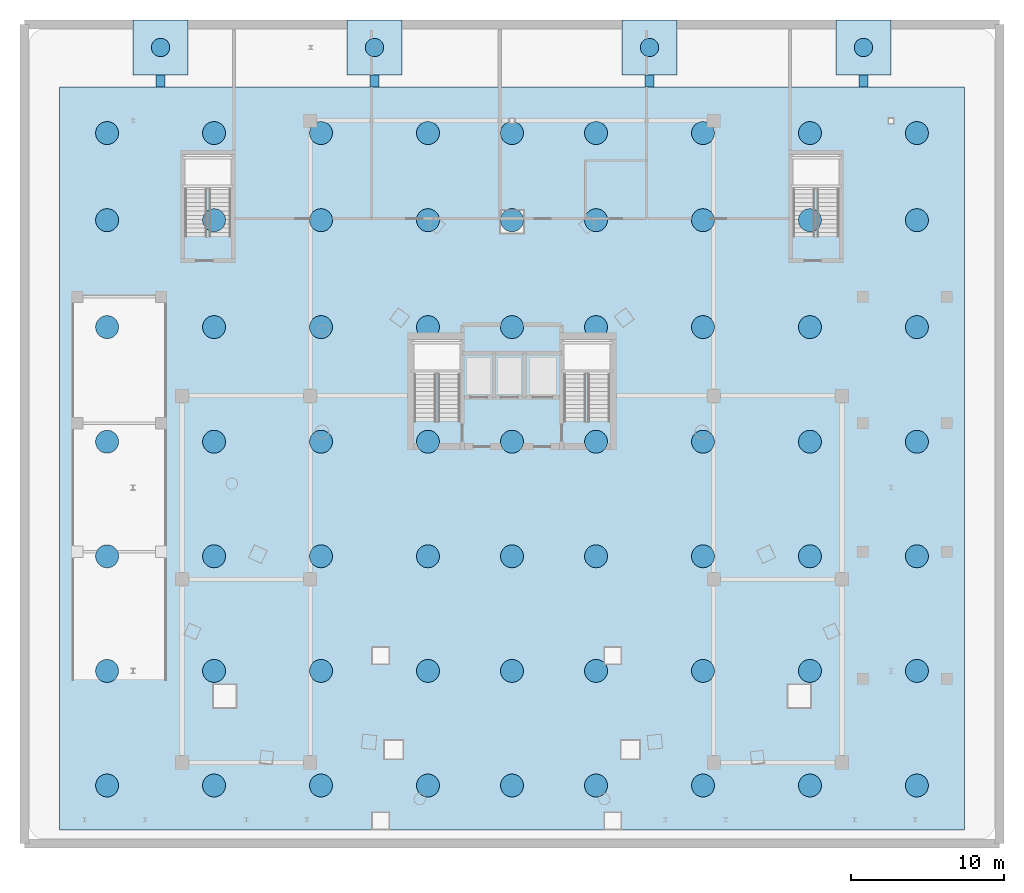
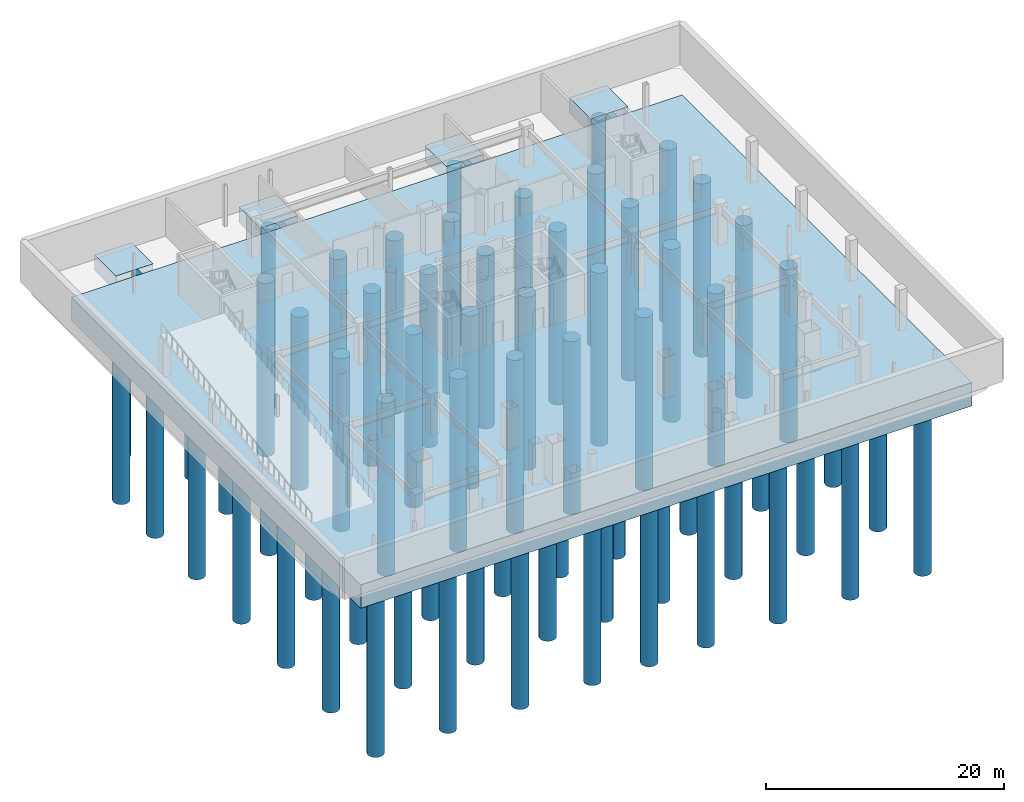
# One storey, part 1 of 12: 67 piles, 9 footings.
"""IFC4 building model written with IfcOpenShell, lengths in metres."""

import ifcopenshell
import ifcopenshell.guid

model = None  # the IFC model being written
_history = None  # IfcOwnerHistory: only IFC2X3 demands one
_inside = {}  # id of a spatial element -> (the spatial element, [elements in it])
_under = {}  # id of a project, library or spatial element -> (it, [spatial elements below it])
_declared = {}  # id of a project -> (the project, [libraries it declares])
_typed = {}  # id of a type object -> (the type object, [elements of that type])
_made_of = {}  # id of a material, layer set ... -> (it, [elements and type objects made of it])


def new_model(schema):
    """Start an empty IFC model of exactly this schema.

    Asked for "IFC4X3", IfcOpenShell would pick the latest addendum, in which some entities
    have other attributes; the version numbers below select the first issue.
    IFC2X3 requires an IfcOwnerHistory on every rooted entity: one is made here for all.
    """
    global model, _history
    if schema == "IFC4X3":
        model = ifcopenshell.file(schema_version=(4, 3, 0, 0))
    else:
        model = ifcopenshell.file(schema=schema)
    _inside.clear()
    _under.clear()
    _declared.clear()
    _typed.clear()
    _made_of.clear()
    _history = None
    if model.schema == "IFC2X3":
        org = make("IfcOrganization", Name="unknown")
        user = make(
            "IfcPersonAndOrganization",
            ThePerson=make("IfcPerson", FamilyName="unknown"),
            TheOrganization=org,
        )
        app = make(
            "IfcApplication",
            ApplicationDeveloper=org,
            Version="unknown",
            ApplicationFullName="unknown",
            ApplicationIdentifier="unknown",
        )
        _history = make(
            "IfcOwnerHistory",
            OwningUser=user,
            OwningApplication=app,
            ChangeAction="ADDED",
            CreationDate=0,
        )
    return model


def make(cls, **values):
    """One entity of the class cls with the attributes given. An attribute that is None is left unset."""
    return model.create_entity(
        cls, **{name: value for name, value in values.items() if value is not None}
    )


def rooted(cls, **values):
    """An entity with a GlobalId (a new one), such as an element, a storey or a relation."""
    return make(cls, GlobalId=ifcopenshell.guid.new(), OwnerHistory=_history, **values)


def si_unit(unit_type, name, prefix=None):
    """IfcSIUnit, for example si_unit("LENGTHUNIT", "METRE", prefix="MILLI")."""
    return make("IfcSIUnit", UnitType=unit_type, Prefix=prefix, Name=name)


def assignment(units):
    """IfcUnitAssignment: the units of a project."""
    return None if units is None else make("IfcUnitAssignment", Units=units)


def point(xyz):
    """IfcCartesianPoint."""
    return None if xyz is None else make("IfcCartesianPoint", Coordinates=xyz)


def direction(xyz):
    """IfcDirection."""
    return None if xyz is None else make("IfcDirection", DirectionRatios=xyz)


def frame(location, z_axis=None, x_axis=None):
    """IfcAxis2Placement3D, a coordinate frame: its origin and axes. An axis left out is left unset."""
    return make(
        "IfcAxis2Placement3D",
        Location=point(location),
        Axis=direction(z_axis),
        RefDirection=direction(x_axis),
    )


def frame_2d(location, x_axis=None):
    """IfcAxis2Placement2D, a coordinate frame in the plane: its origin and x axis."""
    return make(
        "IfcAxis2Placement2D", Location=point(location), RefDirection=direction(x_axis)
    )


def origin():
    """The frame at (0, 0, 0) with its axes left unset."""
    return frame((0.0, 0.0, 0.0))


def origin_2d():
    """The frame at (0, 0) in the plane with its x axis left unset."""
    return frame_2d((0.0, 0.0))


def place(relative_to, where):
    """IfcLocalPlacement: puts the frame where relative to a parent placement (None: the world)."""
    return make(
        "IfcLocalPlacement", PlacementRelTo=relative_to, RelativePlacement=where
    )


def context(
    kind, dimensions, precision=None, world=None, true_north=None, identifier=None
):
    """IfcGeometricRepresentationContext, for example the 3D "Model" context."""
    return make(
        "IfcGeometricRepresentationContext",
        ContextIdentifier=identifier,
        ContextType=kind,
        CoordinateSpaceDimension=dimensions,
        Precision=precision,
        WorldCoordinateSystem=world,
        TrueNorth=true_north,
    )


def subcontext(parent, identifier, kind, view, scale=None):
    """IfcGeometricRepresentationSubContext, for example "Body" below "Model"."""
    return make(
        "IfcGeometricRepresentationSubContext",
        ContextIdentifier=identifier,
        ContextType=kind,
        ParentContext=parent,
        TargetScale=scale,
        TargetView=view,
    )


def project(units=None, contexts=None):
    """IfcProject with its units and contexts."""
    return rooted(
        "IfcProject",
        Name="project",
        RepresentationContexts=contexts,
        UnitsInContext=assignment(units),
    )


def spatial(cls, under=None, at=None, **own):
    """A site, building, storey or space (cls), placed at a placement, below another one or the project."""
    s = rooted(cls, ObjectPlacement=at, **own)
    if under is not None:
        _under.setdefault(under.id(), (under, []))[1].append(s)
    return s


def polyline(points):
    """IfcPolyline through the points."""
    return make("IfcPolyline", Points=[point(p) for p in points])


def profile(cls, at=None, kind="AREA", **sizes):
    """A parametric profile (cls). Its sizes go by their IFC names, for example OverallWidth=200.0."""
    return make(cls, ProfileType=kind, Position=at, **sizes)


def rectangle(**sizes):
    """IfcRectangleProfileDef."""
    return profile("IfcRectangleProfileDef", **sizes)


def circle(**sizes):
    """IfcCircleProfileDef."""
    return profile("IfcCircleProfileDef", **sizes)


def outline(outer, holes=None, kind="AREA"):
    """IfcArbitraryClosedProfileDef: a profile drawn as a closed curve; with holes, ...WithVoids."""
    if holes is None:
        return make("IfcArbitraryClosedProfileDef", ProfileType=kind, OuterCurve=outer)
    return make(
        "IfcArbitraryProfileDefWithVoids",
        ProfileType=kind,
        OuterCurve=outer,
        InnerCurves=holes,
    )


def extrude(swept, where, along, depth):
    """IfcExtrudedAreaSolid: the profile swept, set in the frame where, extruded along a direction by depth."""
    return make(
        "IfcExtrudedAreaSolid",
        SweptArea=swept,
        Position=where,
        ExtrudedDirection=direction(along),
        Depth=depth,
    )


def shape(context_of_items, identifier, shape_type, items):
    """IfcShapeRepresentation: the items that make up one representation, for example the "Body"."""
    return make(
        "IfcShapeRepresentation",
        ContextOfItems=context_of_items,
        RepresentationIdentifier=identifier,
        RepresentationType=shape_type,
        Items=items,
    )


def material(Name=None, Category=None):
    """IfcMaterial."""
    return make("IfcMaterial", Name=Name, Category=Category)


def layer(
    of_material, thickness, ventilated=None, Name=None, Category=None, Priority=None
):
    """IfcMaterialLayer: one layer of a wall or slab, of a material (None: an air gap)."""
    return make(
        "IfcMaterialLayer",
        Material=of_material,
        LayerThickness=thickness,
        IsVentilated=ventilated,
        Name=Name,
        Category=Category,
        Priority=Priority,
    )


def layer_set(layers, Name=None):
    """IfcMaterialLayerSet."""
    return make("IfcMaterialLayerSet", MaterialLayers=layers, LayerSetName=Name)


def material_profile(
    of_material, cross_section, Name=None, Category=None, Priority=None
):
    """IfcMaterialProfile: a cross section and its material."""
    return make(
        "IfcMaterialProfile",
        Name=Name,
        Material=of_material,
        Profile=cross_section,
        Priority=Priority,
        Category=Category,
    )


def profile_set(profiles, Name=None, composite=None):
    """IfcMaterialProfileSet."""
    return make(
        "IfcMaterialProfileSet",
        Name=Name,
        MaterialProfiles=profiles,
        CompositeProfile=composite,
    )


def made_of(thing, what):
    """Note that an element or type object is made of a material, layer set ...; save() writes the relation."""
    if what is not None:
        _made_of.setdefault(what.id(), (what, []))[1].append(thing)
    return thing


def type_object(cls, material=None, **own):
    """A type object (cls), such as IfcWallType, which elements share."""
    return made_of(rooted(cls, **own), material)


def element(
    cls,
    number,
    at=None,
    inside=None,
    cuts=None,
    type_object=None,
    material=None,
    context=None,
    identifier="Body",
    shape_type=None,
    held_by="IfcProductDefinitionShape",
    body=None,
    shapes=None,
    **own,
):
    """One element of the class cls, such as IfcWall. Its Tag is "e" and its number.

    at: its placement. inside: the storey or other place that contains it. cuts: it is an
    opening in that element (IfcRelVoidsElement). A single representation is given by context,
    identifier, shape_type and body (its items); several are given by shapes. held_by: the class
    of the entity that holds the representations. save() writes the other relations.
    """
    e = rooted(cls, Tag="e%d" % number, ObjectPlacement=at, **own)
    if body is not None:
        shapes = [shape(context, identifier, shape_type, body)]
    if shapes is not None:
        e.Representation = make(held_by, Representations=shapes)
    if inside is not None:
        _inside.setdefault(inside.id(), (inside, []))[1].append(e)
    if cuts is not None:
        rooted(
            "IfcRelVoidsElement", RelatingBuildingElement=cuts, RelatedOpeningElement=e
        )
    if type_object is not None:
        _typed.setdefault(type_object.id(), (type_object, []))[1].append(e)
    return made_of(e, material)


def aggregate(whole, parts):
    """IfcRelAggregates: a whole, such as a stair, and the parts it consists of."""
    return rooted("IfcRelAggregates", RelatingObject=whole, RelatedObjects=parts)


def save(model, path):
    """Write the relations noted so far, then the file.

    IfcRelAggregates (storeys below a building ...), IfcRelContainedInSpatialStructure (elements
    in a storey), IfcRelDefinesByType, IfcRelAssociatesMaterial and IfcRelDeclares: one each for
    every whole, place, type object, material and project.
    """
    for whole, parts in _under.values():
        aggregate(whole, parts)
    for where, things in _inside.values():
        rooted(
            "IfcRelContainedInSpatialStructure",
            RelatedElements=things,
            RelatingStructure=where,
        )
    for kind, things in _typed.values():
        rooted("IfcRelDefinesByType", RelatedObjects=things, RelatingType=kind)
    for what, things in _made_of.values():
        rooted("IfcRelAssociatesMaterial", RelatedObjects=things, RelatingMaterial=what)
    for by, libraries in _declared.values():
        rooted("IfcRelDeclares", RelatingContext=by, RelatedDefinitions=libraries)
    model.write(path)


model = new_model("IFC4")

# Units and contexts
model_context = context("Model", 3, precision=1e-05, world=origin(), true_north=direction((0.0, 1.0)))
body_context = subcontext(model_context, "Body", "Model", "MODEL_VIEW")
ifc_project = project(units=[si_unit("LENGTHUNIT", "METRE"), si_unit("AREAUNIT", "SQUARE_METRE"), si_unit("VOLUMEUNIT", "CUBIC_METRE"), si_unit("PLANEANGLEUNIT", "RADIAN"), si_unit("MASSUNIT", "GRAM", prefix="KILO")], contexts=[model_context])

# Site, building, storey
site_placement = place(None, origin())
site = spatial("IfcSite", under=ifc_project, at=site_placement, CompositionType="ELEMENT")
building_placement = place(site_placement, origin())
building = spatial("IfcBuilding", under=site, at=building_placement, Name="Orvanel Arch Residences", CompositionType="ELEMENT")
storey_placement = place(building_placement, frame((0.0, 0.0, -8.39990234375)))
storey = spatial("IfcBuildingStorey", under=building, at=storey_placement, Name="B02", CompositionType="ELEMENT", Elevation=-8.39990234375)

# Footings
ifc_material = material(Name="Concrete N50 (50 MPa)", Category="concrete")
ifc_material_profile_1 = material_profile(ifc_material, rectangle(XDim=0.60009765625, YDim=0.949951171875, at=origin_2d()), Name="RC600x950")
ifc_profile_set_1 = profile_set([ifc_material_profile_1], Name="Concrete N50 (50 MPa)")
footing_type_1 = type_object("IfcFootingType", Name="GB-600x950", PredefinedType="FOOTING_BEAM", material=ifc_profile_set_1)
for number, where, z_axis, x_axis, name in (
    (1, (10.0, 50.60009765625, -0.9501953125), (0.0, 0.0, 1.0), (1.0, 0.0, 0.0), "Foundation Raft Tie Ground Beam GB-01"),
    (2, (24.0, 50.60009765625, -0.9501953125), (0.0, 0.0, 1.0), (1.0, 0.0, 0.0), "Foundation Raft Tie Ground Beam GB-02"),
    (3, (42.0, 50.60009765625, -0.9501953125), (0.0, 0.0, 1.0), (1.0, 0.0, 0.0), "Foundation Raft Tie Ground Beam GB-03"),
    (4, (56.0, 50.60009765625, -0.9501953125), (0.0, 0.0, 1.0), (1.0, 0.0, 0.0), "Foundation Raft Tie Ground Beam GB-04"),
):
    element("IfcFooting", number, at=place(storey_placement, frame(where, z_axis=z_axis, x_axis=x_axis)), inside=storey, type_object=footing_type_1, Name=name, PredefinedType="FOOTING_BEAM", context=body_context, shape_type="SweptSolid", body=[
        extrude(rectangle(XDim=0.60009765625, YDim=0.7900390625, at=origin_2d()), origin(), (0.0, 0.0, 1.0), 0.949951171875),
    ])
ifc_layer_1 = layer(ifc_material, 1.60009765625)
ifc_layer_set_1 = layer_set([ifc_layer_1], Name="Concrete N50 (50 MPa)")
footing_type_2 = type_object("IfcFootingType", Name="PAD-3600", PredefinedType="PAD_FOOTING", material=ifc_layer_set_1)
for number, where, z_axis, x_axis, name in (
    (5, (10.0, 52.800048828125, -1.60009765625), (0.0, 0.0, 1.0), (1.0, 0.0, 0.0), "North Perimeter Pad Footing PAD-01"),
    (6, (24.0, 52.800048828125, -1.60009765625), (0.0, 0.0, 1.0), (1.0, 0.0, 0.0), "North Perimeter Pad Footing PAD-02"),
    (7, (42.0, 52.800048828125, -1.60009765625), (0.0, 0.0, 1.0), (1.0, 0.0, 0.0), "North Perimeter Pad Footing PAD-03"),
    (8, (56.0, 52.800048828125, -1.60009765625), (0.0, 0.0, 1.0), (1.0, 0.0, 0.0), "North Perimeter Pad Footing PAD-04"),
):
    element("IfcFooting", number, at=place(storey_placement, frame(where, z_axis=z_axis, x_axis=x_axis)), inside=storey, type_object=footing_type_2, Name=name, PredefinedType="PAD_FOOTING", context=body_context, shape_type="SweptSolid", body=[
        extrude(rectangle(XDim=3.60009765625, YDim=3.60009765625, at=origin_2d()), origin(), (0.0, 0.0, 1.0), 1.60009765625),
    ])

# Piles
ifc_material_profile_2 = material_profile(ifc_material, circle(Radius=0.60009765625, at=origin_2d()), Name="PILE1200")
ifc_profile_set_2 = profile_set([ifc_material_profile_2], Name="Concrete N50 (50 MPa)")
pile_type_1 = type_object("IfcPileType", Name="PILE-1200", PredefinedType="BORED", material=ifc_profile_set_2)
for number, where, z_axis, x_axis, name in (
    (9, (10.0, 52.800048828125, -1.4501953125), (0.0, 0.0, -1.0), (1.0, 0.0, 0.0), "Rock-Socketed Bored Pile 1200 #001"),
    (10, (24.0, 52.800048828125, -1.4501953125), (0.0, 0.0, -1.0), (1.0, 0.0, 0.0), "Rock-Socketed Bored Pile 1200 #002"),
    (11, (42.0, 52.800048828125, -1.4501953125), (0.0, 0.0, -1.0), (1.0, 0.0, 0.0), "Rock-Socketed Bored Pile 1200 #003"),
    (12, (56.0, 52.800048828125, -1.4501953125), (0.0, 0.0, -1.0), (1.0, 0.0, 0.0), "Rock-Socketed Bored Pile 1200 #004"),
):
    element("IfcPile", number, at=place(storey_placement, frame(where, z_axis=z_axis, x_axis=x_axis)), inside=storey, type_object=pile_type_1, Name=name, PredefinedType="BORED", context=body_context, shape_type="SweptSolid", body=[
        extrude(circle(Radius=0.60009765625, at=origin_2d()), origin(), (0.0, 0.0, 1.0), 18.550048828125),
    ])
ifc_material_profile_3 = material_profile(ifc_material, circle(Radius=0.75, at=origin_2d()), Name="PILE1500")
ifc_profile_set_3 = profile_set([ifc_material_profile_3], Name="Concrete N50 (50 MPa)")
pile_type_2 = type_object("IfcPileType", Name="PILE-1500", PredefinedType="BORED", material=ifc_profile_set_3)
for number, where, z_axis, x_axis, name in (
    (13, (6.5, 4.5, -2.25), (0.0, 0.0, -1.0), (1.0, 0.0, 0.0), "Rock-Socketed Bored Pile 1500 #001"),
    (14, (6.5, 12.0, -2.25), (0.0, 0.0, -1.0), (1.0, 0.0, 0.0), "Rock-Socketed Bored Pile 1500 #002"),
    (15, (6.5, 19.5, -2.25), (0.0, 0.0, -1.0), (1.0, 0.0, 0.0), "Rock-Socketed Bored Pile 1500 #003"),
    (16, (6.5, 27.0, -2.25), (0.0, 0.0, -1.0), (1.0, 0.0, 0.0), "Rock-Socketed Bored Pile 1500 #004"),
    (17, (6.5, 34.5, -2.25), (0.0, 0.0, -1.0), (1.0, 0.0, 0.0), "Rock-Socketed Bored Pile 1500 #005"),
    (18, (6.5, 41.5, -2.25), (0.0, 0.0, -1.0), (1.0, 0.0, 0.0), "Rock-Socketed Bored Pile 1500 #006"),
    (19, (6.5, 47.199951171875, -2.25), (0.0, 0.0, -1.0), (1.0, 0.0, 0.0), "Rock-Socketed Bored Pile 1500 #007"),
    (20, (13.5, 4.5, -2.25), (0.0, 0.0, -1.0), (1.0, 0.0, 0.0), "Rock-Socketed Bored Pile 1500 #008"),
    (21, (13.5, 12.0, -2.25), (0.0, 0.0, -1.0), (1.0, 0.0, 0.0), "Rock-Socketed Bored Pile 1500 #009"),
    (22, (13.5, 19.5, -2.25), (0.0, 0.0, -1.0), (1.0, 0.0, 0.0), "Rock-Socketed Bored Pile 1500 #010"),
    (23, (13.5, 27.0, -2.25), (0.0, 0.0, -1.0), (1.0, 0.0, 0.0), "Rock-Socketed Bored Pile 1500 #011"),
    (24, (13.5, 34.5, -2.25), (0.0, 0.0, -1.0), (1.0, 0.0, 0.0), "Rock-Socketed Bored Pile 1500 #012"),
    (25, (13.5, 41.5, -2.25), (0.0, 0.0, -1.0), (1.0, 0.0, 0.0), "Rock-Socketed Bored Pile 1500 #013"),
    (26, (13.5, 47.199951171875, -2.25), (0.0, 0.0, -1.0), (1.0, 0.0, 0.0), "Rock-Socketed Bored Pile 1500 #014"),
    (27, (20.5, 4.5, -2.25), (0.0, 0.0, -1.0), (1.0, 0.0, 0.0), "Rock-Socketed Bored Pile 1500 #015"),
    (28, (20.5, 12.0, -2.25), (0.0, 0.0, -1.0), (1.0, 0.0, 0.0), "Rock-Socketed Bored Pile 1500 #016"),
    (29, (20.5, 19.5, -2.25), (0.0, 0.0, -1.0), (1.0, 0.0, 0.0), "Rock-Socketed Bored Pile 1500 #017"),
    (30, (20.5, 27.0, -2.25), (0.0, 0.0, -1.0), (1.0, 0.0, 0.0), "Rock-Socketed Bored Pile 1500 #018"),
    (31, (20.5, 34.5, -2.25), (0.0, 0.0, -1.0), (1.0, 0.0, 0.0), "Rock-Socketed Bored Pile 1500 #019"),
    (32, (20.5, 41.5, -2.25), (0.0, 0.0, -1.0), (1.0, 0.0, 0.0), "Rock-Socketed Bored Pile 1500 #020"),
    (33, (20.5, 47.199951171875, -2.25), (0.0, 0.0, -1.0), (1.0, 0.0, 0.0), "Rock-Socketed Bored Pile 1500 #021"),
    (34, (27.5, 4.5, -2.25), (0.0, 0.0, -1.0), (1.0, 0.0, 0.0), "Rock-Socketed Bored Pile 1500 #022"),
    (35, (27.5, 12.0, -2.25), (0.0, 0.0, -1.0), (1.0, 0.0, 0.0), "Rock-Socketed Bored Pile 1500 #023"),
    (36, (27.5, 19.5, -2.25), (0.0, 0.0, -1.0), (1.0, 0.0, 0.0), "Rock-Socketed Bored Pile 1500 #024"),
    (37, (27.5, 27.0, -2.25), (0.0, 0.0, -1.0), (1.0, 0.0, 0.0), "Rock-Socketed Bored Pile 1500 #025"),
    (38, (27.5, 34.5, -2.25), (0.0, 0.0, -1.0), (1.0, 0.0, 0.0), "Rock-Socketed Bored Pile 1500 #026"),
    (39, (27.5, 41.5, -2.25), (0.0, 0.0, -1.0), (1.0, 0.0, 0.0), "Rock-Socketed Bored Pile 1500 #027"),
    (40, (27.5, 47.199951171875, -2.25), (0.0, 0.0, -1.0), (1.0, 0.0, 0.0), "Rock-Socketed Bored Pile 1500 #028"),
    (41, (33.0, 4.5, -2.25), (0.0, 0.0, -1.0), (1.0, 0.0, 0.0), "Rock-Socketed Bored Pile 1500 #029"),
    (42, (33.0, 12.0, -2.25), (0.0, 0.0, -1.0), (1.0, 0.0, 0.0), "Rock-Socketed Bored Pile 1500 #030"),
    (43, (33.0, 19.5, -2.25), (0.0, 0.0, -1.0), (1.0, 0.0, 0.0), "Rock-Socketed Bored Pile 1500 #031"),
    (44, (33.0, 27.0, -2.25), (0.0, 0.0, -1.0), (1.0, 0.0, 0.0), "Rock-Socketed Bored Pile 1500 #032"),
    (45, (33.0, 34.5, -2.25), (0.0, 0.0, -1.0), (1.0, 0.0, 0.0), "Rock-Socketed Bored Pile 1500 #033"),
    (46, (33.0, 41.5, -2.25), (0.0, 0.0, -1.0), (1.0, 0.0, 0.0), "Rock-Socketed Bored Pile 1500 #034"),
    (47, (33.0, 47.199951171875, -2.25), (0.0, 0.0, -1.0), (1.0, 0.0, 0.0), "Rock-Socketed Bored Pile 1500 #035"),
    (48, (38.5, 4.5, -2.25), (0.0, 0.0, -1.0), (1.0, 0.0, 0.0), "Rock-Socketed Bored Pile 1500 #036"),
    (49, (38.5, 12.0, -2.25), (0.0, 0.0, -1.0), (1.0, 0.0, 0.0), "Rock-Socketed Bored Pile 1500 #037"),
    (50, (38.5, 19.5, -2.25), (0.0, 0.0, -1.0), (1.0, 0.0, 0.0), "Rock-Socketed Bored Pile 1500 #038"),
    (51, (38.5, 27.0, -2.25), (0.0, 0.0, -1.0), (1.0, 0.0, 0.0), "Rock-Socketed Bored Pile 1500 #039"),
    (52, (38.5, 34.5, -2.25), (0.0, 0.0, -1.0), (1.0, 0.0, 0.0), "Rock-Socketed Bored Pile 1500 #040"),
    (53, (38.5, 41.5, -2.25), (0.0, 0.0, -1.0), (1.0, 0.0, 0.0), "Rock-Socketed Bored Pile 1500 #041"),
    (54, (38.5, 47.199951171875, -2.25), (0.0, 0.0, -1.0), (1.0, 0.0, 0.0), "Rock-Socketed Bored Pile 1500 #042"),
    (55, (45.5, 4.5, -2.25), (0.0, 0.0, -1.0), (1.0, 0.0, 0.0), "Rock-Socketed Bored Pile 1500 #043"),
    (56, (45.5, 12.0, -2.25), (0.0, 0.0, -1.0), (1.0, 0.0, 0.0), "Rock-Socketed Bored Pile 1500 #044"),
    (57, (45.5, 19.5, -2.25), (0.0, 0.0, -1.0), (1.0, 0.0, 0.0), "Rock-Socketed Bored Pile 1500 #045"),
    (58, (45.5, 27.0, -2.25), (0.0, 0.0, -1.0), (1.0, 0.0, 0.0), "Rock-Socketed Bored Pile 1500 #046"),
    (59, (45.5, 34.5, -2.25), (0.0, 0.0, -1.0), (1.0, 0.0, 0.0), "Rock-Socketed Bored Pile 1500 #047"),
    (60, (45.5, 41.5, -2.25), (0.0, 0.0, -1.0), (1.0, 0.0, 0.0), "Rock-Socketed Bored Pile 1500 #048"),
    (61, (45.5, 47.199951171875, -2.25), (0.0, 0.0, -1.0), (1.0, 0.0, 0.0), "Rock-Socketed Bored Pile 1500 #049"),
    (62, (52.5, 4.5, -2.25), (0.0, 0.0, -1.0), (1.0, 0.0, 0.0), "Rock-Socketed Bored Pile 1500 #050"),
    (63, (52.5, 12.0, -2.25), (0.0, 0.0, -1.0), (1.0, 0.0, 0.0), "Rock-Socketed Bored Pile 1500 #051"),
    (64, (52.5, 19.5, -2.25), (0.0, 0.0, -1.0), (1.0, 0.0, 0.0), "Rock-Socketed Bored Pile 1500 #052"),
    (65, (52.5, 27.0, -2.25), (0.0, 0.0, -1.0), (1.0, 0.0, 0.0), "Rock-Socketed Bored Pile 1500 #053"),
    (66, (52.5, 34.5, -2.25), (0.0, 0.0, -1.0), (1.0, 0.0, 0.0), "Rock-Socketed Bored Pile 1500 #054"),
    (67, (52.5, 41.5, -2.25), (0.0, 0.0, -1.0), (1.0, 0.0, 0.0), "Rock-Socketed Bored Pile 1500 #055"),
    (68, (52.5, 47.199951171875, -2.25), (0.0, 0.0, -1.0), (1.0, 0.0, 0.0), "Rock-Socketed Bored Pile 1500 #056"),
    (69, (59.5, 4.5, -2.25), (0.0, 0.0, -1.0), (1.0, 0.0, 0.0), "Rock-Socketed Bored Pile 1500 #057"),
    (70, (59.5, 12.0, -2.25), (0.0, 0.0, -1.0), (1.0, 0.0, 0.0), "Rock-Socketed Bored Pile 1500 #058"),
    (71, (59.5, 19.5, -2.25), (0.0, 0.0, -1.0), (1.0, 0.0, 0.0), "Rock-Socketed Bored Pile 1500 #059"),
    (72, (59.5, 27.0, -2.25), (0.0, 0.0, -1.0), (1.0, 0.0, 0.0), "Rock-Socketed Bored Pile 1500 #060"),
    (73, (59.5, 34.5, -2.25), (0.0, 0.0, -1.0), (1.0, 0.0, 0.0), "Rock-Socketed Bored Pile 1500 #061"),
    (74, (59.5, 41.5, -2.25), (0.0, 0.0, -1.0), (1.0, 0.0, 0.0), "Rock-Socketed Bored Pile 1500 #062"),
    (75, (59.5, 47.199951171875, -2.25), (0.0, 0.0, -1.0), (1.0, 0.0, 0.0), "Rock-Socketed Bored Pile 1500 #063"),
):
    element("IfcPile", number, at=place(storey_placement, frame(where, z_axis=z_axis, x_axis=x_axis)), inside=storey, type_object=pile_type_2, Name=name, PredefinedType="BORED", context=body_context, shape_type="SweptSolid", body=[
        extrude(circle(Radius=0.75, at=origin_2d()), origin(), (0.0, 0.0, 1.0), 17.75),
    ])

# Footing
ifc_layer_2 = layer(ifc_material, 2.39990234375)
ifc_layer_set_2 = layer_set([ifc_layer_2], Name="Concrete N50 (50 MPa)")
footing_type_3 = type_object("IfcFootingType", Name="RAFT-2400", PredefinedType="PILE_CAP", material=ifc_layer_set_2)
footing_placement = place(storey_placement, frame((0.0, 0.0, -2.400146484375)))
element("IfcFooting", 76, at=footing_placement, inside=storey, type_object=footing_type_3, Name="Combined Central Core and Tower Piled Raft", PredefinedType="PILE_CAP", context=body_context, shape_type="SweptSolid", body=[
    extrude(outline(polyline([(3.39990234375, 1.60009765625), (62.60009765625, 1.60009765625), (62.60009765625, 50.199951171875), (3.39990234375, 50.199951171875), (3.39990234375, 1.60009765625)])), origin(), (0.0, 0.0, 1.0), 2.400146484375),
])

save(model, "model.ifc")
